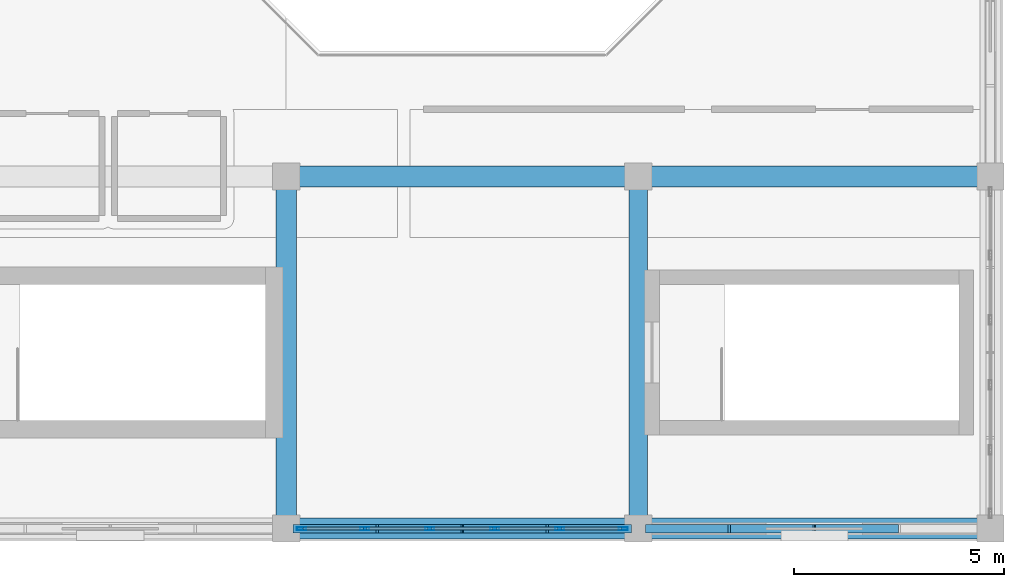
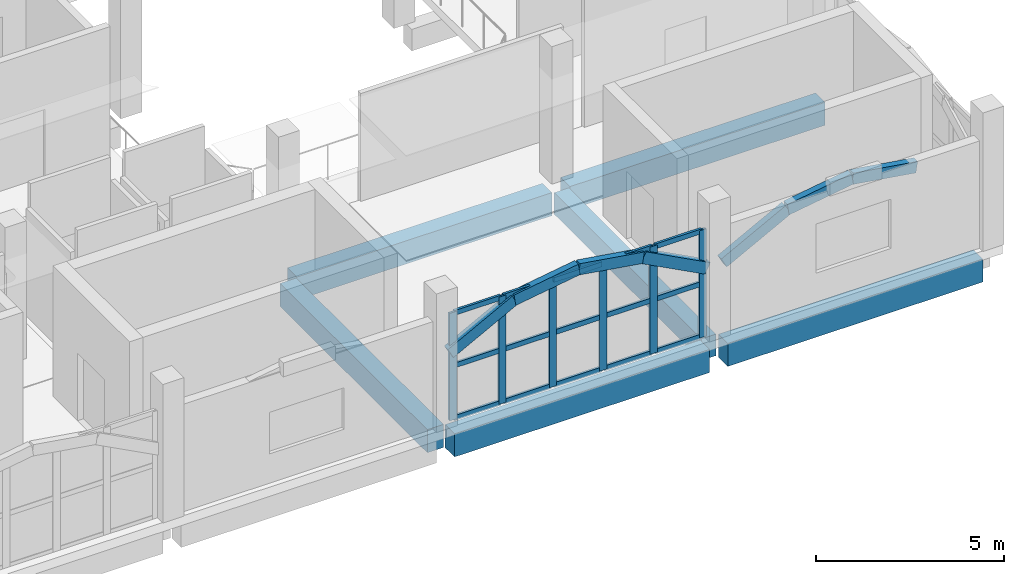
# One storey, part 5 of 16: 28 members, 6 beams, 1 element without a shape of its own.
"""IFC4 building model written with IfcOpenShell, lengths in metres."""

from ifc_helpers import new_model, si_unit, direction, frame, origin, origin_2d, place, context, subcontext, project, spatial, rectangle, hollow_rectangle, extrude, material, layer, layer_set, material_profile, profile_set, type_object, element, aggregate, save


model = new_model("IFC4")

# Units and contexts
model_context = context("Model", 3, precision=1e-05, world=origin(), true_north=direction((0.0, 1.0)))
body_context = subcontext(model_context, "Body", "Model", "MODEL_VIEW")
ifc_project = project(units=[si_unit("LENGTHUNIT", "METRE"), si_unit("AREAUNIT", "SQUARE_METRE"), si_unit("VOLUMEUNIT", "CUBIC_METRE"), si_unit("PLANEANGLEUNIT", "RADIAN"), si_unit("MASSUNIT", "GRAM", prefix="KILO")], contexts=[model_context])

# Site, building, storey
site_placement = place(None, origin())
site = spatial("IfcSite", under=ifc_project, at=site_placement, CompositionType="ELEMENT")
building_placement = place(site_placement, origin())
building = spatial("IfcBuilding", under=site, at=building_placement, Name="Xazarin Passage Department Store", CompositionType="ELEMENT")
storey_placement = place(building_placement, frame((0.0, 0.0, 32.39990234375)))
storey = spatial("IfcBuildingStorey", under=building, at=storey_placement, Name="L07", CompositionType="ELEMENT", Elevation=32.39990234375)

# Curtain wall, members
ifc_material_1 = material(Name="Bronze anodised aluminium", Category="aluminium")
ifc_layer = layer(ifc_material_1, 0.199951171875)
ifc_layer_set = layer_set([ifc_layer], Name="Bronze anodised aluminium")
curtain_wall_type = type_object("IfcCurtainWallType", Name="ARC-CW-VIT2", PredefinedType="NOTDEFINED", material=ifc_layer_set)
curtain_wall_placement = place(storey_placement, origin())
curtain_wall = element("IfcCurtainWall", 1, at=curtain_wall_placement, inside=storey, type_object=curtain_wall_type, Name="L07 V1 Curtain Wall 092", PredefinedType="NOTDEFINED")
ifc_material_profile_1 = material_profile(ifc_material_1, hollow_rectangle(XDim=0.074951171875, YDim=0.219970703125, WallThickness=0.0048828125, at=origin_2d()), Name="ALU 75x220")
ifc_profile_set_1 = profile_set([ifc_material_profile_1], Name="Bronze anodised aluminium")
member_type_1 = type_object("IfcMemberType", Name="ARC-CWM-75x220", PredefinedType="MULLION", material=ifc_profile_set_1)
member_1_placement = place(storey_placement, frame((17.16259765625, 76.39990234375, 0.0), z_axis=(0.0, 0.0, 1.0), x_axis=(0.0, 1.0, 0.0)))
member_1 = element("IfcMember", 2, at=member_1_placement, type_object=member_type_1, Name="CW2 mullion 1", PredefinedType="MULLION", context=body_context, shape_type="SweptSolid", body=[
    extrude(hollow_rectangle(XDim=0.074951171875, YDim=0.219970703125, WallThickness=0.0048828125, at=origin_2d()), origin(), (0.0, 0.0, 1.0), 3.489990234375),
])
member_2_placement = place(storey_placement, frame((18.675048828125, 76.39990234375, 0.0), z_axis=(0.0, 0.0, 1.0), x_axis=(0.0, 1.0, 0.0)))
member_2 = element("IfcMember", 3, at=member_2_placement, type_object=member_type_1, Name="CW2 mullion 2", PredefinedType="MULLION", context=body_context, shape_type="SweptSolid", body=[
    extrude(hollow_rectangle(XDim=0.074951171875, YDim=0.219970703125, WallThickness=0.0048828125, at=origin_2d()), origin(), (0.0, 0.0, 1.0), 3.489990234375),
])
member_3_placement = place(storey_placement, frame((20.22509765625, 76.39990234375, 0.0), z_axis=(0.0, 0.0, 1.0), x_axis=(0.0, 1.0, 0.0)))
member_3 = element("IfcMember", 4, at=member_3_placement, type_object=member_type_1, Name="CW2 mullion 3", PredefinedType="MULLION", context=body_context, shape_type="SweptSolid", body=[
    extrude(hollow_rectangle(XDim=0.074951171875, YDim=0.219970703125, WallThickness=0.0048828125, at=origin_2d()), origin(), (0.0, 0.0, 1.0), 3.489990234375),
])
member_4_placement = place(storey_placement, frame((21.77490234375, 76.39990234375, 0.0), z_axis=(0.0, 0.0, 1.0), x_axis=(0.0, 1.0, 0.0)))
member_4 = element("IfcMember", 5, at=member_4_placement, type_object=member_type_1, Name="CW2 mullion 4", PredefinedType="MULLION", context=body_context, shape_type="SweptSolid", body=[
    extrude(hollow_rectangle(XDim=0.074951171875, YDim=0.219970703125, WallThickness=0.0048828125, at=origin_2d()), origin(), (0.0, 0.0, 1.0), 3.489990234375),
])
member_5_placement = place(storey_placement, frame((23.324951171875, 76.39990234375, 0.0), z_axis=(0.0, 0.0, 1.0), x_axis=(0.0, 1.0, 0.0)))
member_5 = element("IfcMember", 6, at=member_5_placement, type_object=member_type_1, Name="CW2 mullion 5", PredefinedType="MULLION", context=body_context, shape_type="SweptSolid", body=[
    extrude(hollow_rectangle(XDim=0.074951171875, YDim=0.219970703125, WallThickness=0.0048828125, at=origin_2d()), origin(), (0.0, 0.0, 1.0), 3.489990234375),
])
member_6_placement = place(storey_placement, frame((24.83740234375, 76.39990234375, 0.0), z_axis=(0.0, 0.0, 1.0), x_axis=(0.0, 1.0, 0.0)))
member_6 = element("IfcMember", 7, at=member_6_placement, type_object=member_type_1, Name="CW2 mullion 6", PredefinedType="MULLION", context=body_context, shape_type="SweptSolid", body=[
    extrude(hollow_rectangle(XDim=0.074951171875, YDim=0.219970703125, WallThickness=0.0048828125, at=origin_2d()), origin(), (0.0, 0.0, 1.0), 3.489990234375),
])
ifc_material_profile_2 = material_profile(ifc_material_1, hollow_rectangle(XDim=0.074951171875, YDim=0.159912109375, WallThickness=0.00439453125, at=origin_2d()), Name="ALU 75x160")
ifc_profile_set_2 = profile_set([ifc_material_profile_2], Name="Bronze anodised aluminium")
member_type_2 = type_object("IfcMemberType", Name="ARC-CWT-75x160", PredefinedType="USERDEFINED", material=ifc_profile_set_2)
member_7_placement = place(storey_placement, frame((17.199951171875, 76.39990234375, 0.03759765625), z_axis=(1.0, 0.0, 0.0), x_axis=(0.0, 1.0, 0.0)))
member_7 = element("IfcMember", 8, at=member_7_placement, type_object=member_type_2, Name="CW2 transom 1.1", ObjectType="TRANSOM", PredefinedType="USERDEFINED", context=body_context, shape_type="SweptSolid", body=[
    extrude(hollow_rectangle(XDim=0.074951171875, YDim=0.159912109375, WallThickness=0.00439453125, at=origin_2d()), origin(), (0.0, 0.0, 1.0), 1.4375),
])
member_8_placement = place(storey_placement, frame((17.199951171875, 76.39990234375, 1.7451171875), z_axis=(1.0, 0.0, 0.0), x_axis=(0.0, 1.0, 0.0)))
member_8 = element("IfcMember", 9, at=member_8_placement, type_object=member_type_2, Name="CW2 transom 1.2", ObjectType="TRANSOM", PredefinedType="USERDEFINED", context=body_context, shape_type="SweptSolid", body=[
    extrude(hollow_rectangle(XDim=0.074951171875, YDim=0.159912109375, WallThickness=0.00439453125, at=origin_2d()), origin(), (0.0, 0.0, 1.0), 1.4375),
])
member_9_placement = place(storey_placement, frame((17.199951171875, 76.39990234375, 3.45263671875), z_axis=(1.0, 0.0, 0.0), x_axis=(0.0, 1.0, 0.0)))
member_9 = element("IfcMember", 10, at=member_9_placement, type_object=member_type_2, Name="CW2 transom 1.3", ObjectType="TRANSOM", PredefinedType="USERDEFINED", context=body_context, shape_type="SweptSolid", body=[
    extrude(hollow_rectangle(XDim=0.074951171875, YDim=0.159912109375, WallThickness=0.00439453125, at=origin_2d()), origin(), (0.0, 0.0, 1.0), 1.4375),
])
member_10_placement = place(storey_placement, frame((18.71240234375, 76.39990234375, 0.03759765625), z_axis=(1.0, 0.0, 0.0), x_axis=(0.0, 1.0, 0.0)))
member_10 = element("IfcMember", 11, at=member_10_placement, type_object=member_type_2, Name="CW2 transom 2.1", ObjectType="TRANSOM", PredefinedType="USERDEFINED", context=body_context, shape_type="SweptSolid", body=[
    extrude(hollow_rectangle(XDim=0.074951171875, YDim=0.159912109375, WallThickness=0.00439453125, at=origin_2d()), origin(), (0.0, 0.0, 1.0), 1.47509765625),
])
member_11_placement = place(storey_placement, frame((18.71240234375, 76.39990234375, 1.7451171875), z_axis=(1.0, 0.0, 0.0), x_axis=(0.0, 1.0, 0.0)))
member_11 = element("IfcMember", 12, at=member_11_placement, type_object=member_type_2, Name="CW2 transom 2.2", ObjectType="TRANSOM", PredefinedType="USERDEFINED", context=body_context, shape_type="SweptSolid", body=[
    extrude(hollow_rectangle(XDim=0.074951171875, YDim=0.159912109375, WallThickness=0.00439453125, at=origin_2d()), origin(), (0.0, 0.0, 1.0), 1.47509765625),
])
member_12_placement = place(storey_placement, frame((18.71240234375, 76.39990234375, 3.45263671875), z_axis=(1.0, 0.0, 0.0), x_axis=(0.0, 1.0, 0.0)))
member_12 = element("IfcMember", 13, at=member_12_placement, type_object=member_type_2, Name="CW2 transom 2.3", ObjectType="TRANSOM", PredefinedType="USERDEFINED", context=body_context, shape_type="SweptSolid", body=[
    extrude(hollow_rectangle(XDim=0.074951171875, YDim=0.159912109375, WallThickness=0.00439453125, at=origin_2d()), origin(), (0.0, 0.0, 1.0), 1.47509765625),
])
member_13_placement = place(storey_placement, frame((20.262451171875, 76.39990234375, 0.03759765625), z_axis=(1.0, 0.0, 0.0), x_axis=(0.0, 1.0, 0.0)))
member_13 = element("IfcMember", 14, at=member_13_placement, type_object=member_type_2, Name="CW2 transom 3.1", ObjectType="TRANSOM", PredefinedType="USERDEFINED", context=body_context, shape_type="SweptSolid", body=[
    extrude(hollow_rectangle(XDim=0.074951171875, YDim=0.159912109375, WallThickness=0.00439453125, at=origin_2d()), origin(), (0.0, 0.0, 1.0), 1.47509765625),
])
member_14_placement = place(storey_placement, frame((20.262451171875, 76.39990234375, 1.7451171875), z_axis=(1.0, 0.0, 0.0), x_axis=(0.0, 1.0, 0.0)))
member_14 = element("IfcMember", 15, at=member_14_placement, type_object=member_type_2, Name="CW2 transom 3.2", ObjectType="TRANSOM", PredefinedType="USERDEFINED", context=body_context, shape_type="SweptSolid", body=[
    extrude(hollow_rectangle(XDim=0.074951171875, YDim=0.159912109375, WallThickness=0.00439453125, at=origin_2d()), origin(), (0.0, 0.0, 1.0), 1.47509765625),
])
member_15_placement = place(storey_placement, frame((20.262451171875, 76.39990234375, 3.45263671875), z_axis=(1.0, 0.0, 0.0), x_axis=(0.0, 1.0, 0.0)))
member_15 = element("IfcMember", 16, at=member_15_placement, type_object=member_type_2, Name="CW2 transom 3.3", ObjectType="TRANSOM", PredefinedType="USERDEFINED", context=body_context, shape_type="SweptSolid", body=[
    extrude(hollow_rectangle(XDim=0.074951171875, YDim=0.159912109375, WallThickness=0.00439453125, at=origin_2d()), origin(), (0.0, 0.0, 1.0), 1.47509765625),
])
member_16_placement = place(storey_placement, frame((21.8125, 76.39990234375, 0.03759765625), z_axis=(1.0, 0.0, 0.0), x_axis=(0.0, 1.0, 0.0)))
member_16 = element("IfcMember", 17, at=member_16_placement, type_object=member_type_2, Name="CW2 transom 4.1", ObjectType="TRANSOM", PredefinedType="USERDEFINED", context=body_context, shape_type="SweptSolid", body=[
    extrude(hollow_rectangle(XDim=0.074951171875, YDim=0.159912109375, WallThickness=0.00439453125, at=origin_2d()), origin(), (0.0, 0.0, 1.0), 1.47509765625),
])
member_17_placement = place(storey_placement, frame((21.8125, 76.39990234375, 1.7451171875), z_axis=(1.0, 0.0, 0.0), x_axis=(0.0, 1.0, 0.0)))
member_17 = element("IfcMember", 18, at=member_17_placement, type_object=member_type_2, Name="CW2 transom 4.2", ObjectType="TRANSOM", PredefinedType="USERDEFINED", context=body_context, shape_type="SweptSolid", body=[
    extrude(hollow_rectangle(XDim=0.074951171875, YDim=0.159912109375, WallThickness=0.00439453125, at=origin_2d()), origin(), (0.0, 0.0, 1.0), 1.47509765625),
])
member_18_placement = place(storey_placement, frame((21.8125, 76.39990234375, 3.45263671875), z_axis=(1.0, 0.0, 0.0), x_axis=(0.0, 1.0, 0.0)))
member_18 = element("IfcMember", 19, at=member_18_placement, type_object=member_type_2, Name="CW2 transom 4.3", ObjectType="TRANSOM", PredefinedType="USERDEFINED", context=body_context, shape_type="SweptSolid", body=[
    extrude(hollow_rectangle(XDim=0.074951171875, YDim=0.159912109375, WallThickness=0.00439453125, at=origin_2d()), origin(), (0.0, 0.0, 1.0), 1.47509765625),
])
member_19_placement = place(storey_placement, frame((23.362548828125, 76.39990234375, 0.03759765625), z_axis=(1.0, 0.0, 0.0), x_axis=(0.0, 1.0, 0.0)))
member_19 = element("IfcMember", 20, at=member_19_placement, type_object=member_type_2, Name="CW2 transom 5.1", ObjectType="TRANSOM", PredefinedType="USERDEFINED", context=body_context, shape_type="SweptSolid", body=[
    extrude(hollow_rectangle(XDim=0.074951171875, YDim=0.159912109375, WallThickness=0.00439453125, at=origin_2d()), origin(), (0.0, 0.0, 1.0), 1.4375),
])
member_20_placement = place(storey_placement, frame((23.362548828125, 76.39990234375, 1.7451171875), z_axis=(1.0, 0.0, 0.0), x_axis=(0.0, 1.0, 0.0)))
member_20 = element("IfcMember", 21, at=member_20_placement, type_object=member_type_2, Name="CW2 transom 5.2", ObjectType="TRANSOM", PredefinedType="USERDEFINED", context=body_context, shape_type="SweptSolid", body=[
    extrude(hollow_rectangle(XDim=0.074951171875, YDim=0.159912109375, WallThickness=0.00439453125, at=origin_2d()), origin(), (0.0, 0.0, 1.0), 1.4375),
])
member_21_placement = place(storey_placement, frame((23.362548828125, 76.39990234375, 3.45263671875), z_axis=(1.0, 0.0, 0.0), x_axis=(0.0, 1.0, 0.0)))
member_21 = element("IfcMember", 22, at=member_21_placement, type_object=member_type_2, Name="CW2 transom 5.3", ObjectType="TRANSOM", PredefinedType="USERDEFINED", context=body_context, shape_type="SweptSolid", body=[
    extrude(hollow_rectangle(XDim=0.074951171875, YDim=0.159912109375, WallThickness=0.00439453125, at=origin_2d()), origin(), (0.0, 0.0, 1.0), 1.4375),
])
aggregate(curtain_wall, [member_1, member_2, member_3, member_4, member_5, member_6, member_7, member_8, member_9, member_10, member_11, member_12, member_13, member_14, member_15, member_16, member_17, member_18, member_19, member_20, member_21])

# Beams
ifc_material_2 = material(Name="Concrete C35/45", Category="concrete")
ifc_material_profile_3 = material_profile(ifc_material_2, rectangle(XDim=0.449951171875, YDim=0.699951171875, at=origin_2d()), Name="RC 450x700")
ifc_profile_set_3 = profile_set([ifc_material_profile_3], Name="Concrete C35/45")
beam_type_1 = type_object("IfcBeamType", Name="STR-BM-G450x700", PredefinedType="BEAM", material=ifc_profile_set_3)
beam_1_placement = place(storey_placement, frame((25.199951171875, 76.679931640625, -0.64990234375), z_axis=(0.0, 1.0, 0.0), x_axis=(-1.0, 0.0, 0.0)))
element("IfcBeam", 23, at=beam_1_placement, inside=storey, type_object=beam_type_1, Name="L07 Grid Beam 4/L-M", PredefinedType="BEAM", context=body_context, shape_type="SweptSolid", body=[
    extrude(rectangle(XDim=0.449951171875, YDim=0.699951171875, at=origin_2d()), origin(), (0.0, 0.0, 1.0), 7.840087890625),
])
ifc_material_profile_4 = material_profile(ifc_material_2, rectangle(XDim=0.5, YDim=0.75, at=origin_2d()), Name="RC 500x750")
ifc_profile_set_4 = profile_set([ifc_material_profile_4], Name="Concrete C35/45")
beam_type_2 = type_object("IfcBeamType", Name="STR-BM-SP500x750", PredefinedType="SPANDREL", material=ifc_profile_set_4)
beam_2_placement = place(storey_placement, frame((17.080078125, 76.39990234375, -0.6748046875), z_axis=(1.0, 0.0, 0.0), x_axis=(0.0, 1.0, 0.0)))
element("IfcBeam", 24, at=beam_2_placement, inside=storey, type_object=beam_type_2, Name="L07 Grid Beam L/3-4", PredefinedType="SPANDREL", context=body_context, shape_type="SweptSolid", body=[
    extrude(rectangle(XDim=0.5, YDim=0.75, at=origin_2d()), origin(), (0.0, 0.0, 1.0), 7.83984375),
])
beam_3_placement = place(storey_placement, frame((25.47998046875, 76.39990234375, -0.6748046875), z_axis=(1.0, 0.0, 0.0), x_axis=(0.0, 1.0, 0.0)))
element("IfcBeam", 25, at=beam_3_placement, inside=storey, type_object=beam_type_2, Name="L07 Grid Beam L/4-5", PredefinedType="SPANDREL", context=body_context, shape_type="SweptSolid", body=[
    extrude(rectangle(XDim=0.5, YDim=0.75, at=origin_2d()), origin(), (0.0, 0.0, 1.0), 7.840087890625),
])
beam_4_placement = place(storey_placement, frame((17.080078125, 84.800048828125, -0.6748046875), z_axis=(1.0, 0.0, 0.0), x_axis=(0.0, 1.0, 0.0)))
element("IfcBeam", 26, at=beam_4_placement, inside=storey, type_object=beam_type_2, Name="L07 Grid Beam M/3-4", PredefinedType="SPANDREL", context=body_context, shape_type="SweptSolid", body=[
    extrude(rectangle(XDim=0.5, YDim=0.75, at=origin_2d()), origin(), (0.0, 0.0, 1.0), 7.83984375),
])
for number, where, z_axis, x_axis, name in (
    (27, (25.47998046875, 84.800048828125, -0.6748046875), (1.0, 0.0, 0.0), (0.0, 1.0, 0.0), "L07 Grid Beam M/4-5"),
    (28, (16.800048828125, 76.679931640625, -0.6748046875), (0.0, 1.0, 0.0), (-1.0, 0.0, 0.0), "L07 Grid Beam 3/L-M"),
):
    element("IfcBeam", number, at=place(storey_placement, frame(where, z_axis=z_axis, x_axis=x_axis)), inside=storey, type_object=beam_type_2, Name=name, PredefinedType="SPANDREL", context=body_context, shape_type="SweptSolid", body=[
        extrude(rectangle(XDim=0.5, YDim=0.75, at=origin_2d()), origin(), (0.0, 0.0, 1.0), 7.840087890625),
    ])

# Members
ifc_material_3 = material(Name="Concrete C40/50", Category="concrete")
ifc_material_profile_5 = material_profile(ifc_material_3, rectangle(XDim=0.199951171875, YDim=0.360107421875, at=origin_2d()), Name="RC 200x360")
ifc_profile_set_5 = profile_set([ifc_material_profile_5], Name="Concrete C40/50")
member_type_3 = type_object("IfcMemberType", Name="STR-MEM-ARC360", PredefinedType="CHORD", material=ifc_profile_set_5)
member_22_placement = place(storey_placement, frame((17.050048828125, 76.39990234375, 2.22998046875), z_axis=(0.884709354127, 0.0, 0.466143066793), x_axis=(0.0, 1.0, 0.0)))
element("IfcMember", 29, at=member_22_placement, inside=storey, type_object=member_type_3, Name="L07 V1 Upper Setback Pierced Arch 043.1", PredefinedType="CHORD", context=body_context, shape_type="SweptSolid", body=[
    extrude(rectangle(XDim=0.199951171875, YDim=0.360107421875, at=origin_2d()), origin(), (0.0, 0.0, 1.0), 2.232177734375),
])
for number, where, z_axis, x_axis, name in (
    (30, (19.02490234375, 76.39990234375, 3.2705078125), (0.987938581312, 0.0, 0.154846244883), (0.0, 1.0, 0.0), "L07 V1 Upper Setback Pierced Arch 043.2"),
    (31, (21.0, 76.39990234375, 3.580078125), (0.987938581312, 0.0, -0.154846244883), (0.0, 1.0, 0.0), "L07 V1 Upper Setback Pierced Arch 043.3"),
):
    element("IfcMember", number, at=place(storey_placement, frame(where, z_axis=z_axis, x_axis=x_axis)), inside=storey, type_object=member_type_3, Name=name, PredefinedType="CHORD", context=body_context, shape_type="SweptSolid", body=[
        extrude(rectangle(XDim=0.199951171875, YDim=0.360107421875, at=origin_2d()), origin(), (0.0, 0.0, 1.0), 1.999267578125),
    ])
member_23_placement = place(storey_placement, frame((22.97509765625, 76.39990234375, 3.2705078125), z_axis=(0.884709354127, 0.0, -0.466143066793), x_axis=(0.0, 1.0, 0.0)))
element("IfcMember", 32, at=member_23_placement, inside=storey, type_object=member_type_3, Name="L07 V1 Upper Setback Pierced Arch 043.4", PredefinedType="CHORD", context=body_context, shape_type="SweptSolid", body=[
    extrude(rectangle(XDim=0.199951171875, YDim=0.360107421875, at=origin_2d()), origin(), (0.0, 0.0, 1.0), 2.232177734375),
])
member_24_placement = place(storey_placement, frame((25.449951171875, 76.39990234375, 2.22998046875), z_axis=(0.88473311603, 0.0, 0.466097965454), x_axis=(0.0, 1.0, 0.0)))
element("IfcMember", 33, at=member_24_placement, inside=storey, type_object=member_type_3, Name="L07 V1 Upper Setback Pierced Arch 044.1", PredefinedType="CHORD", context=body_context, shape_type="SweptSolid", body=[
    extrude(rectangle(XDim=0.199951171875, YDim=0.360107421875, at=origin_2d()), origin(), (0.0, 0.0, 1.0), 2.232421875),
])
member_25_placement = place(storey_placement, frame((27.425048828125, 76.39990234375, 3.2705078125), z_axis=(0.987935652704, 0.0, 0.154864928623), x_axis=(0.0, 1.0, 0.0)))
element("IfcMember", 34, at=member_25_placement, inside=storey, type_object=member_type_3, Name="L07 V1 Upper Setback Pierced Arch 044.2", PredefinedType="CHORD", context=body_context, shape_type="SweptSolid", body=[
    extrude(rectangle(XDim=0.199951171875, YDim=0.360107421875, at=origin_2d()), origin(), (0.0, 0.0, 1.0), 1.9990234375),
])
member_26_placement = place(storey_placement, frame((29.39990234375, 76.39990234375, 3.580078125), z_axis=(0.987938581312, 0.0, -0.154846244883), x_axis=(0.0, 1.0, 0.0)))
element("IfcMember", 35, at=member_26_placement, inside=storey, type_object=member_type_3, Name="L07 V1 Upper Setback Pierced Arch 044.3", PredefinedType="CHORD", context=body_context, shape_type="SweptSolid", body=[
    extrude(rectangle(XDim=0.199951171875, YDim=0.360107421875, at=origin_2d()), origin(), (0.0, 0.0, 1.0), 1.999267578125),
])

save(model, "model.ifc")
